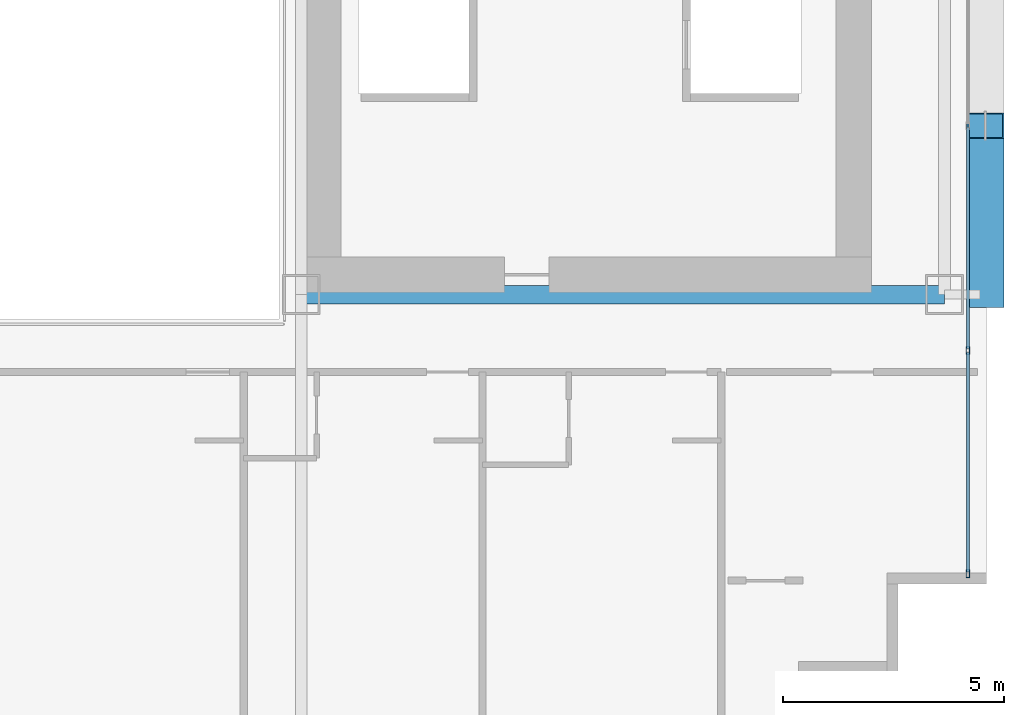
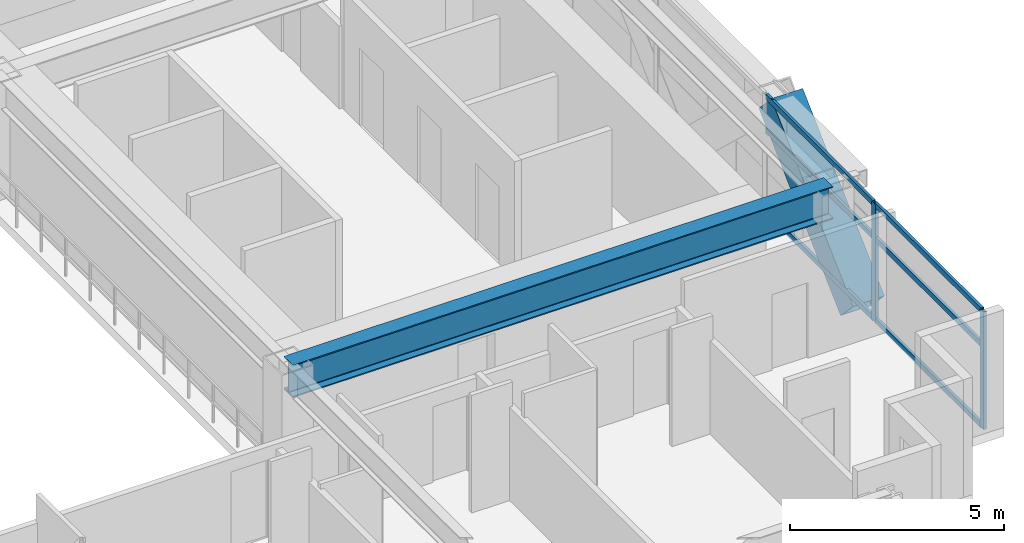
# One storey, part 11 of 35: 9 members, 1 beam, 1 element without a shape of its own.
"""IFC4 building model written with IfcOpenShell, lengths in metres."""

from ifc_helpers import new_model, si_unit, direction, frame, origin, origin_2d, place, context, subcontext, project, spatial, hollow_rectangle, i_section, extrude, source, transform, mapped, material, layer, layer_set, material_profile, profile_set, type_object, element, aggregate, save


model = new_model("IFC4")

# Units and contexts
model_context = context("Model", 3, precision=1e-05, world=origin(), true_north=direction((0.0, 1.0)))
body_context = subcontext(model_context, "Body", "Model", "MODEL_VIEW")
ifc_project = project(units=[si_unit("LENGTHUNIT", "METRE"), si_unit("AREAUNIT", "SQUARE_METRE"), si_unit("VOLUMEUNIT", "CUBIC_METRE"), si_unit("PLANEANGLEUNIT", "RADIAN"), si_unit("MASSUNIT", "GRAM", prefix="KILO")], contexts=[model_context])

# Site, building, storey
site_placement = place(None, origin())
site = spatial("IfcSite", under=ifc_project, at=site_placement, CompositionType="ELEMENT")
building_placement = place(site_placement, origin())
building = spatial("IfcBuilding", under=site, at=building_placement, Name="Ocotamira Hotel", CompositionType="ELEMENT")
storey_placement = place(building_placement, frame((0.0, 0.0, 56.39990234375)))
storey = spatial("IfcBuildingStorey", under=building, at=storey_placement, Name="L13", CompositionType="ELEMENT", Elevation=56.39990234375)

# Beam
ifc_material_1 = material(Name="Steel ASTM A992 Grade 50", Category="steel")
ifc_material_profile_1 = material_profile(ifc_material_1, i_section(OverallWidth=0.41796875, OverallDepth=0.927001953125, WebThickness=0.019287109375, FlangeThickness=0.031982421875, FilletRadius=0.02392578125, at=origin_2d()), Name="W36X231")
ifc_profile_set_1 = profile_set([ifc_material_profile_1], Name="Steel ASTM A992 Grade 50")
beam_type = type_object("IfcBeamType", Name="BM-GIRD-W36X231", PredefinedType="BEAM", material=ifc_profile_set_1)
shared_shape_1 = source(origin(), body_context, "Body", "SweptSolid", [
    extrude(i_section(OverallWidth=0.41796875, OverallDepth=0.927001953125, WebThickness=0.019287109375, FlangeThickness=0.031982421875, FilletRadius=0.02392578125, at=origin_2d()), origin(), (0.0, 0.0, 1.0), 14.550048828125),
])
beam_placement = place(storey_placement, frame((40.5, 14.550048828125, 2.88671875), z_axis=(1.0, 0.0, 0.0), x_axis=(0.0, 1.0, 0.0)))
element("IfcBeam", 1, at=beam_placement, inside=storey, type_object=beam_type, Name="L13 Girder Y14.55 X40.5-55.05", PredefinedType="BEAM", context=body_context, shape_type="MappedRepresentation", body=[
    mapped(shared_shape_1, transform((0.0, 0.0, 0.0), scale=1.0)),
])

# Member
ifc_material_2 = material(Name="Pale-metal coated steel ASTM A913 Grade 65", Category="steel")
ifc_material_profile_2 = material_profile(ifc_material_2, hollow_rectangle(XDim=0.85009765625, YDim=0.85009765625, WallThickness=0.035888671875, at=origin_2d()), Name="BOX850X850X36")
ifc_profile_set_2 = profile_set([ifc_material_profile_2], Name="Pale-metal coated steel ASTM A913 Grade 65")
member_type_1 = type_object("IfcMemberType", Name="MEM-EXO-BOX850", PredefinedType="BRACE", material=ifc_profile_set_2)
shared_shape_2 = source(origin(), body_context, "Body", "SweptSolid", [
    extrude(hollow_rectangle(XDim=0.85009765625, YDim=0.85009765625, WallThickness=0.035888671875, at=origin_2d()), origin(), (0.0, 0.0, 1.0), 5.24658203125),
])
member_1_placement = place(storey_placement, frame((55.969970703125, 14.550048828125, -0.5), z_axis=(0.0, 0.727442733726, 0.686168397078), x_axis=(-1.0, 0.0, 0.0)))
element("IfcMember", 2, at=member_1_placement, inside=storey, type_object=member_type_1, Name="L13 Exoskeleton Diagrid E0.1", PredefinedType="BRACE", context=body_context, shape_type="MappedRepresentation", body=[
    mapped(shared_shape_2, transform((0.0, 0.0, 0.0), scale=1.0)),
])

# Curtain wall, members
ifc_material_3 = material(Name="Anodised pale-metal aluminium and solar glass", Category="aluminium")
ifc_layer = layer(ifc_material_3, 0.179931640625)
ifc_layer_set = layer_set([ifc_layer], Name="Anodised pale-metal aluminium and solar glass")
curtain_wall_type = type_object("IfcCurtainWallType", Name="CW-SYS2-Z1", PredefinedType="NOTDEFINED", material=ifc_layer_set)
curtain_wall_placement = place(storey_placement, origin())
curtain_wall = element("IfcCurtainWall", 3, at=curtain_wall_placement, inside=storey, type_object=curtain_wall_type, Name="L13 Curtain Wall CW-2 CW-L13-E", PredefinedType="NOTDEFINED")
ifc_material_4 = material(Name="Anodised pale-metal aluminium 6063-T6", Category="aluminium")
ifc_material_profile_3 = material_profile(ifc_material_4, hollow_rectangle(XDim=0.074951171875, YDim=0.14990234375, WallThickness=0.006103515625, at=origin_2d()), Name="HSS150X75X6")
ifc_profile_set_3 = profile_set([ifc_material_profile_3], Name="Anodised pale-metal aluminium 6063-T6")
member_type_2 = type_object("IfcMemberType", Name="CWT-150X75", PredefinedType="USERDEFINED", material=ifc_profile_set_3)
shared_shape_3 = source(origin(), body_context, "Body", "SweptSolid", [
    extrude(hollow_rectangle(XDim=0.074951171875, YDim=0.14990234375, WallThickness=0.006103515625, at=origin_2d()), origin(), (0.0, 0.0, 1.0), 4.965576171875),
])
member_2_placement = place(storey_placement, frame((55.580078125, 8.280029296875, 0.03759765625), z_axis=(0.0, 1.0, 0.0), x_axis=(-1.0, 0.0, 0.0)))
member_2 = element("IfcMember", 4, at=member_2_placement, type_object=member_type_2, Name="CW-2 transom 1.1", ObjectType="TRANSOM", PredefinedType="USERDEFINED", context=body_context, shape_type="MappedRepresentation", body=[
    mapped(shared_shape_3, transform((0.0, 0.0, 0.0), scale=1.0)),
])
member_3_placement = place(storey_placement, frame((55.580078125, 8.280029296875, 2.35009765625), z_axis=(0.0, 1.0, 0.0), x_axis=(-1.0, 0.0, 0.0)))
member_3 = element("IfcMember", 5, at=member_3_placement, type_object=member_type_2, Name="CW-2 transom 1.2", ObjectType="TRANSOM", PredefinedType="USERDEFINED", context=body_context, shape_type="MappedRepresentation", body=[
    mapped(shared_shape_3, transform((0.0, 0.0, 0.0), scale=1.0)),
])
member_4_placement = place(storey_placement, frame((55.580078125, 8.280029296875, 3.3125), z_axis=(0.0, 1.0, 0.0), x_axis=(-1.0, 0.0, 0.0)))
member_4 = element("IfcMember", 6, at=member_4_placement, type_object=member_type_2, Name="CW-2 transom 1.3", ObjectType="TRANSOM", PredefinedType="USERDEFINED", context=body_context, shape_type="MappedRepresentation", body=[
    mapped(shared_shape_3, transform((0.0, 0.0, 0.0), scale=1.0)),
])
shared_shape_4 = source(origin(), body_context, "Body", "SweptSolid", [
    extrude(hollow_rectangle(XDim=0.074951171875, YDim=0.14990234375, WallThickness=0.006103515625, at=origin_2d()), origin(), (0.0, 0.0, 1.0), 5.005859375),
])
member_5_placement = place(storey_placement, frame((55.580078125, 13.32568359375, 0.03759765625), z_axis=(0.0, 1.0, 0.0), x_axis=(-1.0, 0.0, 0.0)))
member_5 = element("IfcMember", 7, at=member_5_placement, type_object=member_type_2, Name="CW-2 transom 2.1", ObjectType="TRANSOM", PredefinedType="USERDEFINED", context=body_context, shape_type="MappedRepresentation", body=[
    mapped(shared_shape_4, transform((0.0, 0.0, 0.0), scale=1.0)),
])
member_6_placement = place(storey_placement, frame((55.580078125, 13.32568359375, 2.35009765625), z_axis=(0.0, 1.0, 0.0), x_axis=(-1.0, 0.0, 0.0)))
member_6 = element("IfcMember", 8, at=member_6_placement, type_object=member_type_2, Name="CW-2 transom 2.2", ObjectType="TRANSOM", PredefinedType="USERDEFINED", context=body_context, shape_type="MappedRepresentation", body=[
    mapped(shared_shape_4, transform((0.0, 0.0, 0.0), scale=1.0)),
])
member_7_placement = place(storey_placement, frame((55.580078125, 13.32568359375, 3.3125), z_axis=(0.0, 1.0, 0.0), x_axis=(-1.0, 0.0, 0.0)))
member_7 = element("IfcMember", 9, at=member_7_placement, type_object=member_type_2, Name="CW-2 transom 2.3", ObjectType="TRANSOM", PredefinedType="USERDEFINED", context=body_context, shape_type="MappedRepresentation", body=[
    mapped(shared_shape_4, transform((0.0, 0.0, 0.0), scale=1.0)),
])
ifc_material_profile_4 = material_profile(ifc_material_4, hollow_rectangle(XDim=0.080078125, YDim=0.179931640625, WallThickness=0.006103515625, at=origin_2d()), Name="HSS180X80X6")
ifc_profile_set_4 = profile_set([ifc_material_profile_4], Name="Anodised pale-metal aluminium 6063-T6")
member_type_3 = type_object("IfcMemberType", Name="CWM-180X75", PredefinedType="MULLION", material=ifc_profile_set_4)
shared_shape_5 = source(origin(), body_context, "Body", "SweptSolid", [
    extrude(hollow_rectangle(XDim=0.080078125, YDim=0.179931640625, WallThickness=0.006103515625, at=origin_2d()), origin(), (0.0, 0.0, 1.0), 3.35009765625),
])
member_8_placement = place(storey_placement, frame((55.580078125, 8.239990234375, 0.0), z_axis=(0.0, 0.0, 1.0), x_axis=(-1.0, 0.0, 0.0)))
member_8 = element("IfcMember", 10, at=member_8_placement, type_object=member_type_3, Name="CW-2 mullion 1", PredefinedType="MULLION", context=body_context, shape_type="MappedRepresentation", body=[
    mapped(shared_shape_5, transform((0.0, 0.0, 0.0), scale=1.0)),
])
member_9_placement = place(storey_placement, frame((55.580078125, 13.28564453125, 0.0), z_axis=(0.0, 0.0, 1.0), x_axis=(-1.0, 0.0, 0.0)))
member_9 = element("IfcMember", 11, at=member_9_placement, type_object=member_type_3, Name="CW-2 mullion 2", PredefinedType="MULLION", context=body_context, shape_type="MappedRepresentation", body=[
    mapped(shared_shape_5, transform((0.0, 0.0, 0.0), scale=1.0)),
])
aggregate(curtain_wall, [member_8, member_9, member_2, member_3, member_4, member_5, member_6, member_7])

save(model, "model.ifc")
